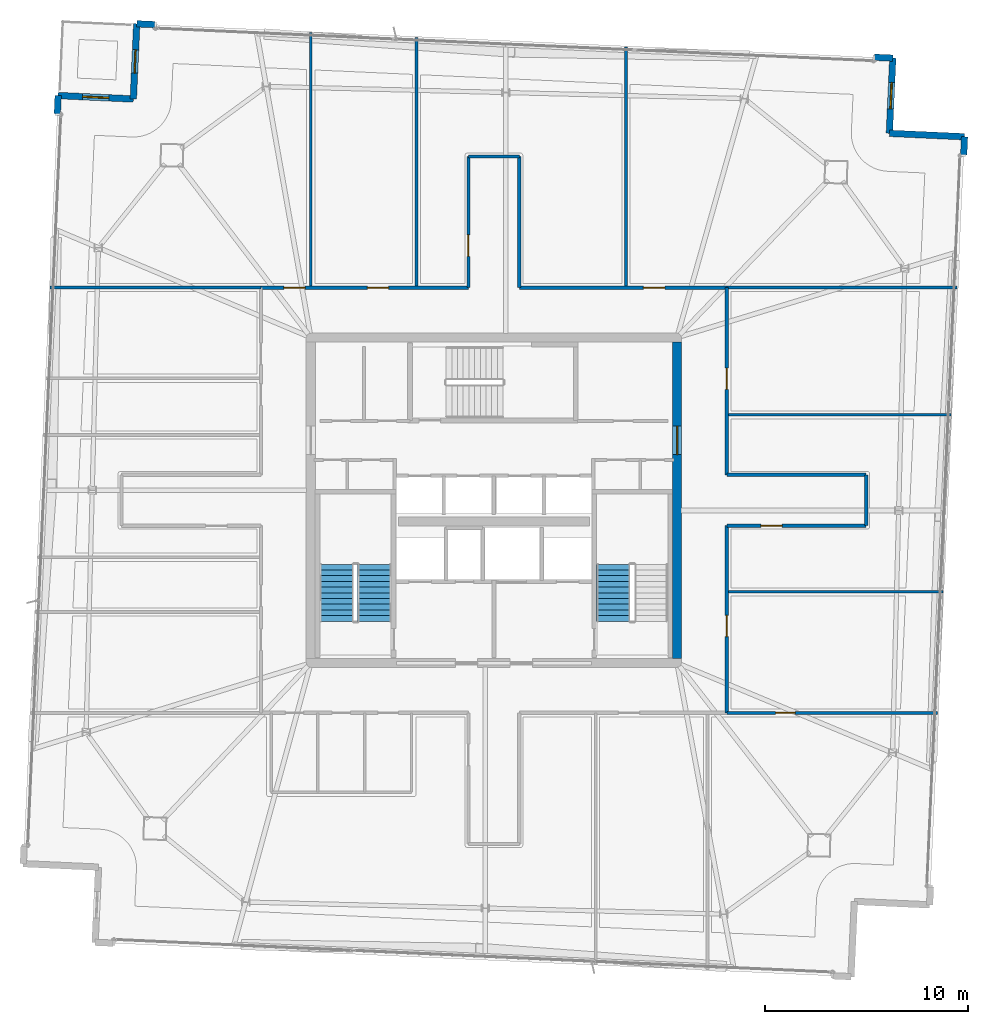
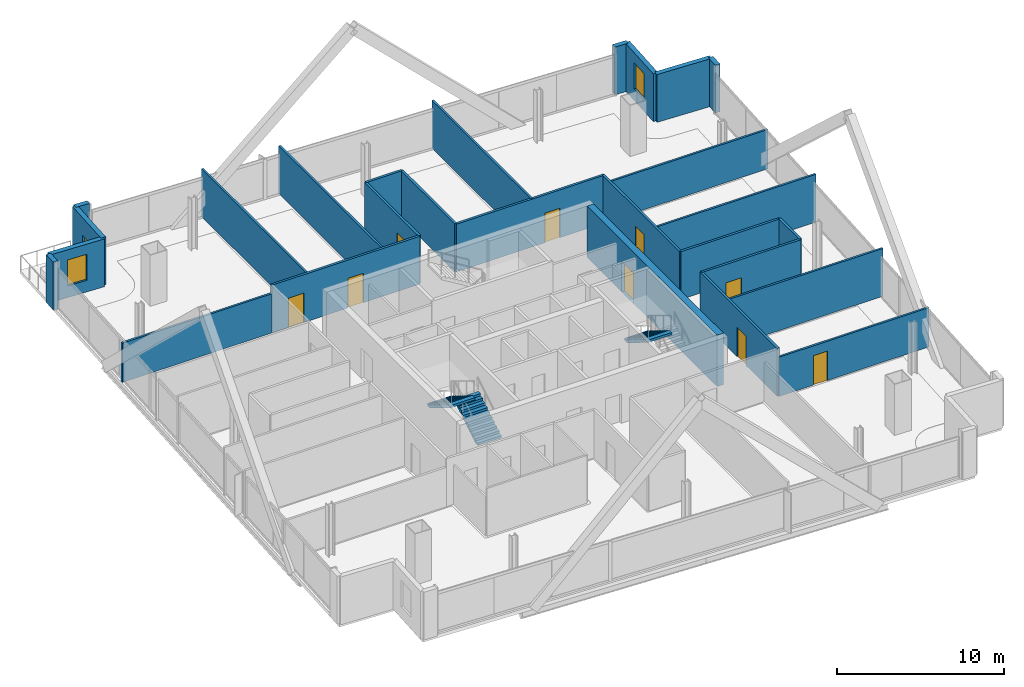
# One storey, part 22 of 26: 27 walls, 10 doors, 3 stair flights, 2 windows, 12 openings, 2 elements without a shape of their own.
"""IFC4 building model written with IfcOpenShell, lengths in metres."""

from ifc_helpers import new_model, si_unit, direction, frame, frame_2d, origin, place, context, subcontext, project, spatial, polyline, rectangle, outline, extrude, material, layer, layer_set, type_object, element, fill, aggregate, save


model = new_model("IFC4")

# Units and contexts
model_context = context("Model", 3, precision=1e-05, world=origin(), true_north=direction((0.0, 1.0)))
body_context = subcontext(model_context, "Body", "Model", "MODEL_VIEW")
ifc_project = project(units=[si_unit("LENGTHUNIT", "METRE"), si_unit("AREAUNIT", "SQUARE_METRE"), si_unit("VOLUMEUNIT", "CUBIC_METRE"), si_unit("PLANEANGLEUNIT", "RADIAN"), si_unit("MASSUNIT", "GRAM", prefix="KILO")], contexts=[model_context])

# Site, building, storey
site_placement = place(None, origin())
site = spatial("IfcSite", under=ifc_project, at=site_placement, CompositionType="ELEMENT")
building_placement = place(site_placement, origin())
building = spatial("IfcBuilding", under=site, at=building_placement, Name="Haldenkirk Collegiate Tower", CompositionType="ELEMENT")
storey_placement = place(building_placement, frame((0.0, 0.0, 321.449951171875)))
storey = spatial("IfcBuildingStorey", under=building, at=storey_placement, Name="L81", CompositionType="ELEMENT", Elevation=321.449951171875)

# Wall, opening, door
ifc_material_1 = material(Name="Concrete f'c 55 MPa", Category="concrete")
ifc_layer_1 = layer(ifc_material_1, 0.449951171875)
ifc_layer_set_1 = layer_set([ifc_layer_1], Name="Concrete f'c 55 MPa")
wall_type_1 = type_object("IfcWallType", Name="WL-CORE-450", PredefinedType="SHEAR", material=ifc_layer_set_1)
wall_1_placement = place(storey_placement, frame((45.0, 18.22509765625, 0.0), z_axis=(0.0, 0.0, 1.0), x_axis=(0.0, 1.0, 0.0)))
wall_1 = element("IfcWall", 1, at=wall_1_placement, inside=storey, type_object=wall_type_1, Name="L81 central core shear wall E", PredefinedType="SHEAR", context=body_context, shape_type="SweptSolid", body=[
    extrude(rectangle(XDim=15.5498046875, YDim=0.449951171875, at=frame_2d((7.77490234375, 0.0))), origin(), (0.0, 0.0, 1.0), 3.75),
])
opening_1_placement = place(wall_1_placement, frame((10.014892578125, 0.0, 0.0)))
opening_1 = element("IfcOpeningElement", 2, at=opening_1_placement, cuts=wall_1, Name="Opening D-03", PredefinedType="OPENING", context=body_context, shape_type="SweptSolid", body=[
    extrude(rectangle(XDim=1.39990234375, YDim=2.199951171875, at=frame_2d((0.699951171875, 1.10009765625))), frame((0.0, 0.23486328125, 0.0), z_axis=(0.0, -1.0, 0.0), x_axis=(1.0, 0.0, 0.0)), (0.0, 0.0, 1.0), 0.469970703125),
])
ifc_material_2 = material(Name="Galvanized fire-rated hollow steel door", Category="steel")
ifc_layer_2 = layer(ifc_material_2, 0.06005859375)
ifc_layer_set_2 = layer_set([ifc_layer_2], Name="Galvanized fire-rated hollow steel door")
door_type_1 = type_object("IfcDoorType", Name="DR-LOBBY-FD90-1400", OperationType="NOTDEFINED", PredefinedType="DOOR", material=ifc_layer_set_2)
door_1_placement = place(opening_1_placement, origin())
door_1 = element("IfcDoor", 3, at=door_1_placement, inside=storey, type_object=door_type_1, Name="L81 east lift lobby portal", OperationType="DOUBLE_DOOR_SINGLE_SWING", OverallHeight=2.199951171875, OverallWidth=1.39990234375, PredefinedType="DOOR", context=body_context, shape_type="SweptSolid", body=[
    extrude(rectangle(XDim=1.39990234375, YDim=2.199951171875, at=frame_2d((0.699951171875, 1.10009765625))), frame((0.0, 0.02490234375, 0.0), z_axis=(0.0, -1.0, 0.0), x_axis=(1.0, 0.0, 0.0)), (0.0, 0.0, 1.0), 0.050048828125),
])
fill(opening_1, door_1)

# Walls
ifc_material_3 = material(Name="Precast concrete f'c 40 MPa", Category="concrete")
ifc_layer_3 = layer(ifc_material_3, 0.320068359375)
ifc_layer_set_3 = layer_set([ifc_layer_3], Name="Precast concrete f'c 40 MPa")
wall_type_2 = type_object("IfcWallType", Name="WL-EXT-TWR-320", PredefinedType="STANDARD", material=ifc_layer_set_3)
wall_2_placement = place(storey_placement, frame((59.134521484375, 43.868896484375, 0.0), z_axis=(0.0, 0.0, 1.0), x_axis=(-0.04556760554, -0.998961257169, 0.0)))
element("IfcWall", 4, at=wall_2_placement, inside=storey, type_object=wall_type_2, Name="L81 precast corner pier SL", PredefinedType="STANDARD", context=body_context, shape_type="SweptSolid", body=[
    extrude(rectangle(XDim=0.900146484375, YDim=0.320068359375, at=frame_2d((0.4501953125, 0.0))), origin(), (0.0, 0.0, 1.0), 3.489990234375),
])
wall_3_placement = place(storey_placement, frame((55.438232421875, 44.036865234375, 0.0), z_axis=(0.0, 0.0, 1.0), x_axis=(0.998969084321, -0.045395688904, 0.0)))
element("IfcWall", 5, at=wall_3_placement, inside=storey, type_object=wall_type_2, Name="L81 bronze precast notch wall 02", PredefinedType="STANDARD", context=body_context, shape_type="SweptSolid", body=[
    extrude(rectangle(XDim=3.7001953125, YDim=0.320068359375, at=frame_2d((1.85009765625, 0.0))), origin(), (0.0, 0.0, 1.0), 3.489990234375),
])

# Wall, opening, window
wall_4_placement = place(storey_placement, frame((55.606201171875, 47.73291015625, 0.0), z_axis=(0.0, 0.0, 1.0), x_axis=(-0.045398681317, -0.998968948334, 0.0)))
wall_4 = element("IfcWall", 6, at=wall_4_placement, inside=storey, type_object=wall_type_2, Name="L81 bronze precast notch wall 03", PredefinedType="STANDARD", context=body_context, shape_type="SweptSolid", body=[
    extrude(rectangle(XDim=3.699951171875, YDim=0.320068359375, at=frame_2d((1.85009765625, 0.0))), origin(), (0.0, 0.0, 1.0), 3.489990234375),
])
opening_2_placement = place(wall_4_placement, frame((1.199951171875, 0.0, 0.85009765625)))
opening_2 = element("IfcOpeningElement", 7, at=opening_2_placement, cuts=wall_4, Name="Opening W-08", PredefinedType="OPENING", context=body_context, shape_type="SweptSolid", body=[
    extrude(rectangle(XDim=1.300048828125, YDim=1.89990234375, at=frame_2d((0.64990234375, 0.949951171875))), frame((0.0, 0.169921875, 0.0), z_axis=(0.0, -1.0, 0.0), x_axis=(1.0, 0.0, 0.0)), (0.0, 0.0, 1.0), 0.340087890625),
])
ifc_material_4 = material(Name="Low-E argon triple insulating glass", Category="glass")
ifc_layer_4 = layer(ifc_material_4, 0.090087890625)
ifc_layer_set_4 = layer_set([ifc_layer_4], Name="Low-E argon triple insulating glass")
window_type = type_object("IfcWindowType", Name="WN-Z6-1300X1900", PartitioningType="SINGLE_PANEL", PredefinedType="WINDOW", material=ifc_layer_set_4)
window_1_placement = place(opening_2_placement, origin())
window_1 = element("IfcWindow", 8, at=window_1_placement, inside=storey, type_object=window_type, Name="L81 precast-frame academic window 2", OverallHeight=1.89990234375, OverallWidth=1.300048828125, PartitioningType="SINGLE_PANEL", PredefinedType="WINDOW", context=body_context, shape_type="SweptSolid", body=[
    extrude(rectangle(XDim=1.300048828125, YDim=1.89990234375, at=frame_2d((0.64990234375, 0.949951171875))), frame((0.0, 0.030029296875, 0.0), z_axis=(0.0, -1.0, 0.0), x_axis=(1.0, 0.0, 0.0)), (0.0, 0.0, 1.0), 0.06005859375),
])
fill(opening_2, window_1)

# Walls
for number, where, z_axis, x_axis, name in (
    (9, (18.4443359375, 49.42041015625, 0.0), (0.0, 0.0, 1.0), (0.998973567376, -0.04529692798, 0.0), "L81 precast corner pier EL"),
    (10, (54.70703125, 47.773681640625, 0.0), (0.0, 0.0, 1.0), (0.998973567376, -0.04529692798, 0.0), "L81 precast corner pier ER"),
):
    element("IfcWall", number, at=place(storey_placement, frame(where, z_axis=z_axis, x_axis=x_axis)), inside=storey, type_object=wall_type_2, Name=name, PredefinedType="STANDARD", context=body_context, shape_type="SweptSolid", body=[
        extrude(rectangle(XDim=0.900146484375, YDim=0.320068359375, at=frame_2d((0.4501953125, 0.0))), origin(), (0.0, 0.0, 1.0), 3.489990234375),
    ])

# Wall, opening, door
wall_5_placement = place(storey_placement, frame((18.276611328125, 45.724365234375, 0.0), z_axis=(0.0, 0.0, 1.0), x_axis=(0.045332830566, 0.998971938781, 0.0)))
wall_5 = element("IfcWall", 11, at=wall_5_placement, inside=storey, type_object=wall_type_2, Name="L81 bronze precast notch wall 05", PredefinedType="STANDARD", context=body_context, shape_type="SweptSolid", body=[
    extrude(rectangle(XDim=3.699951171875, YDim=0.320068359375, at=frame_2d((1.85009765625, 0.0))), origin(), (0.0, 0.0, 1.0), 3.489990234375),
])
opening_3_placement = place(wall_5_placement, frame((1.27490234375, 0.0, 0.0)))
opening_3 = element("IfcOpeningElement", 12, at=opening_3_placement, cuts=wall_5, Name="Opening D-ST11", PredefinedType="OPENING", context=body_context, shape_type="SweptSolid", body=[
    extrude(rectangle(XDim=1.14990234375, YDim=2.199951171875, at=frame_2d((0.574951171875, 1.10009765625))), frame((0.0, 0.169921875, 0.0), z_axis=(0.0, -1.0, 0.0), x_axis=(1.0, 0.0, 0.0)), (0.0, 0.0, 1.0), 0.340087890625),
])
ifc_material_5 = material(Name="Anodised architectural bronze aluminium", Category="aluminium")
ifc_layer_5 = layer(ifc_material_5, 0.080078125)
ifc_layer_set_5 = layer_set([ifc_layer_5], Name="Anodised architectural bronze aluminium")
door_type_2 = type_object("IfcDoorType", Name="DR-EXT-STER-1150", OperationType="NOTDEFINED", PredefinedType="DOOR", material=ifc_layer_set_5)
door_2_placement = place(opening_3_placement, origin())
door_2 = element("IfcDoor", 13, at=door_2_placement, inside=storey, type_object=door_type_2, Name="L81 spiralling terrace door", OperationType="SINGLE_SWING_RIGHT", OverallHeight=2.199951171875, OverallWidth=1.14990234375, PredefinedType="DOOR", context=body_context, shape_type="SweptSolid", body=[
    extrude(rectangle(XDim=1.14990234375, YDim=2.199951171875, at=frame_2d((0.574951171875, 1.10009765625))), frame((0.0, 0.02490234375, 0.0), z_axis=(0.0, -1.0, 0.0), x_axis=(1.0, 0.0, 0.0)), (0.0, 0.0, 1.0), 0.050048828125),
])
fill(opening_3, door_2)

# Wall, opening, window
wall_6_placement = place(storey_placement, frame((14.580322265625, 45.89208984375, 0.0), z_axis=(0.0, 0.0, 1.0), x_axis=(0.998972074375, -0.045329842477, 0.0)))
wall_6 = element("IfcWall", 14, at=wall_6_placement, inside=storey, type_object=wall_type_2, Name="L81 bronze precast notch wall 06", PredefinedType="STANDARD", context=body_context, shape_type="SweptSolid", body=[
    extrude(rectangle(XDim=3.7001953125, YDim=0.320068359375, at=frame_2d((1.85009765625, 0.0))), origin(), (0.0, 0.0, 1.0), 3.489990234375),
])
opening_4_placement = place(wall_6_placement, frame((1.199951171875, 0.0, 0.85009765625)))
opening_4 = element("IfcOpeningElement", 15, at=opening_4_placement, cuts=wall_6, Name="Opening W-08", PredefinedType="OPENING", context=body_context, shape_type="SweptSolid", body=[
    extrude(rectangle(XDim=1.300048828125, YDim=1.89990234375, at=frame_2d((0.64990234375, 0.949951171875))), frame((0.0, 0.169921875, 0.0), z_axis=(0.0, -1.0, 0.0), x_axis=(1.0, 0.0, 0.0)), (0.0, 0.0, 1.0), 0.340087890625),
])
window_2_placement = place(opening_4_placement, origin())
window_2 = element("IfcWindow", 16, at=window_2_placement, inside=storey, type_object=window_type, Name="L81 precast-frame academic window 5", OverallHeight=1.89990234375, OverallWidth=1.300048828125, PartitioningType="SINGLE_PANEL", PredefinedType="WINDOW", context=body_context, shape_type="SweptSolid", body=[
    extrude(rectangle(XDim=1.300048828125, YDim=1.89990234375, at=frame_2d((0.64990234375, 0.949951171875))), frame((0.0, 0.030029296875, 0.0), z_axis=(0.0, -1.0, 0.0), x_axis=(1.0, 0.0, 0.0)), (0.0, 0.0, 1.0), 0.06005859375),
])
fill(opening_4, window_2)

# Wall
wall_7_placement = place(storey_placement, frame((14.53955078125, 44.992919921875, 0.0), z_axis=(0.0, 0.0, 1.0), x_axis=(0.04529692798, 0.998973567376, 0.0)))
element("IfcWall", 17, at=wall_7_placement, inside=storey, type_object=wall_type_2, Name="L81 precast corner pier NR", PredefinedType="STANDARD", context=body_context, shape_type="SweptSolid", body=[
    extrude(rectangle(XDim=0.900146484375, YDim=0.320068359375, at=frame_2d((0.4501953125, 0.0))), origin(), (0.0, 0.0, 1.0), 3.489990234375),
])

# Wall, openings, doors
ifc_material_6 = material(Name="Acoustic fire-rated gypsum partition", Category="concrete")
ifc_layer_6 = layer(ifc_material_6, 0.159912109375)
ifc_layer_set_6 = layer_set([ifc_layer_6], Name="Acoustic fire-rated gypsum partition")
wall_type_3 = type_object("IfcWallType", Name="WL-INT-CORR-160", PredefinedType="PARTITIONING", material=ifc_layer_set_6)
wall_8_placement = place(storey_placement, frame((24.5, 36.449951171875, 0.0), z_axis=(0.0, 0.0, 1.0), x_axis=(1.0, 0.0, 0.0)))
wall_8 = element("IfcWall", 18, at=wall_8_placement, inside=storey, type_object=wall_type_3, Name="L81 interior partition IW-L81-CN1", PredefinedType="PARTITIONING", context=body_context, shape_type="SweptSolid", body=[
    extrude(rectangle(XDim=10.25, YDim=0.159912109375, at=frame_2d((5.125, 0.0))), origin(), (0.0, 0.0, 1.0), 3.489990234375),
])
opening_5_placement = place(wall_8_placement, frame((1.169921875, 0.0, 0.0)))
opening_5 = element("IfcOpeningElement", 19, at=opening_5_placement, cuts=wall_8, Name="Opening D-09", PredefinedType="OPENING", context=body_context, shape_type="SweptSolid", body=[
    extrude(rectangle(XDim=1.050048828125, YDim=2.14990234375, at=frame_2d((0.52490234375, 1.074951171875))), frame((0.0, 0.08984375, 0.0), z_axis=(0.0, -1.0, 0.0), x_axis=(1.0, 0.0, 0.0)), (0.0, 0.0, 1.0), 0.179931640625),
])
opening_6_placement = place(wall_8_placement, frame((5.279052734375, 0.0, 0.0)))
opening_6 = element("IfcOpeningElement", 20, at=opening_6_placement, cuts=wall_8, Name="Opening D-09", PredefinedType="OPENING", context=body_context, shape_type="SweptSolid", body=[
    extrude(rectangle(XDim=1.050048828125, YDim=2.14990234375, at=frame_2d((0.52490234375, 1.074951171875))), frame((0.0, 0.08984375, 0.0), z_axis=(0.0, -1.0, 0.0), x_axis=(1.0, 0.0, 0.0)), (0.0, 0.0, 1.0), 0.179931640625),
])
ifc_material_7 = material(Name="Solid-core architectural oak fire door", Category="wood")
ifc_layer_7 = layer(ifc_material_7, 0.06005859375)
ifc_layer_set_7 = layer_set([ifc_layer_7], Name="Solid-core architectural oak fire door")
door_type_3 = type_object("IfcDoorType", Name="DR-INT-FD60-1050", OperationType="NOTDEFINED", PredefinedType="DOOR", material=ifc_layer_set_7)
door_3_placement = place(opening_5_placement, origin())
door_3 = element("IfcDoor", 21, at=door_3_placement, inside=storey, type_object=door_type_3, Name="L81 Student Reading Lounge 4 door", OperationType="SINGLE_SWING_RIGHT", OverallHeight=2.14990234375, OverallWidth=1.050048828125, PredefinedType="DOOR", context=body_context, shape_type="SweptSolid", body=[
    extrude(rectangle(XDim=1.050048828125, YDim=2.14990234375, at=frame_2d((0.52490234375, 1.074951171875))), frame((0.0, 0.02490234375, 0.0), z_axis=(0.0, -1.0, 0.0), x_axis=(1.0, 0.0, 0.0)), (0.0, 0.0, 1.0), 0.050048828125),
])
fill(opening_5, door_3)
door_4_placement = place(opening_6_placement, origin())
door_4 = element("IfcDoor", 22, at=door_4_placement, inside=storey, type_object=door_type_3, Name="L81 Reading Commons Lounge 5 door", OperationType="SINGLE_SWING_LEFT", OverallHeight=2.14990234375, OverallWidth=1.050048828125, PredefinedType="DOOR", context=body_context, shape_type="SweptSolid", body=[
    extrude(rectangle(XDim=1.050048828125, YDim=2.14990234375, at=frame_2d((0.52490234375, 1.074951171875))), frame((0.0, 0.02490234375, 0.0), z_axis=(0.0, -1.0, 0.0), x_axis=(1.0, 0.0, 0.0)), (0.0, 0.0, 1.0), 0.050048828125),
])
fill(opening_6, door_4)

# Wall, opening, door
wall_9_placement = place(storey_placement, frame((37.25, 36.449951171875, 0.0), z_axis=(0.0, 0.0, 1.0), x_axis=(1.0, 0.0, 0.0)))
wall_9 = element("IfcWall", 23, at=wall_9_placement, inside=storey, type_object=wall_type_3, Name="L81 interior partition IW-L81-CN2", PredefinedType="PARTITIONING", context=body_context, shape_type="SweptSolid", body=[
    extrude(rectangle(XDim=10.25, YDim=0.159912109375, at=frame_2d((5.125, 0.0))), origin(), (0.0, 0.0, 1.0), 3.489990234375),
])
opening_7_placement = place(wall_9_placement, frame((6.09912109375, 0.0, 0.0)))
opening_7 = element("IfcOpeningElement", 24, at=opening_7_placement, cuts=wall_9, Name="Opening D-09", PredefinedType="OPENING", context=body_context, shape_type="SweptSolid", body=[
    extrude(rectangle(XDim=1.050048828125, YDim=2.14990234375, at=frame_2d((0.52490234375, 1.074951171875))), frame((0.0, 0.08984375, 0.0), z_axis=(0.0, -1.0, 0.0), x_axis=(1.0, 0.0, 0.0)), (0.0, 0.0, 1.0), 0.179931640625),
])
door_5_placement = place(opening_7_placement, origin())
door_5 = element("IfcDoor", 25, at=door_5_placement, inside=storey, type_object=door_type_3, Name="L81 Special Collections Archive 7 door", OperationType="SINGLE_SWING_LEFT", OverallHeight=2.14990234375, OverallWidth=1.050048828125, PredefinedType="DOOR", context=body_context, shape_type="SweptSolid", body=[
    extrude(rectangle(XDim=1.050048828125, YDim=2.14990234375, at=frame_2d((0.52490234375, 1.074951171875))), frame((0.0, 0.02490234375, 0.0), z_axis=(0.0, -1.0, 0.0), x_axis=(1.0, 0.0, 0.0)), (0.0, 0.0, 1.0), 0.050048828125),
])
fill(opening_7, door_5)

wall_10_placement = place(storey_placement, frame((47.449951171875, 15.550048828125, 0.0), z_axis=(0.0, 0.0, 1.0), x_axis=(0.0, 1.0, 0.0)))
wall_10 = element("IfcWall", 26, at=wall_10_placement, inside=storey, type_object=wall_type_3, Name="L81 interior partition IW-L81-CE1", PredefinedType="PARTITIONING", context=body_context, shape_type="SweptSolid", body=[
    extrude(rectangle(XDim=9.199951171875, YDim=0.159912109375, at=frame_2d((4.60009765625, 0.0))), origin(), (0.0, 0.0, 1.0), 3.489990234375),
])
opening_8_placement = place(wall_10_placement, frame((3.7470703125, 0.0, 0.0)))
opening_8 = element("IfcOpeningElement", 27, at=opening_8_placement, cuts=wall_10, Name="Opening D-09", PredefinedType="OPENING", context=body_context, shape_type="SweptSolid", body=[
    extrude(rectangle(XDim=1.050048828125, YDim=2.14990234375, at=frame_2d((0.52490234375, 1.074951171875))), frame((0.0, 0.08984375, 0.0), z_axis=(0.0, -1.0, 0.0), x_axis=(1.0, 0.0, 0.0)), (0.0, 0.0, 1.0), 0.179931640625),
])
door_6_placement = place(opening_8_placement, origin())
door_6 = element("IfcDoor", 28, at=door_6_placement, inside=storey, type_object=door_type_3, Name="L81 Special Collections Archive 13 door", OperationType="SINGLE_SWING_LEFT", OverallHeight=2.14990234375, OverallWidth=1.050048828125, PredefinedType="DOOR", context=body_context, shape_type="SweptSolid", body=[
    extrude(rectangle(XDim=1.050048828125, YDim=2.14990234375, at=frame_2d((0.52490234375, 1.074951171875))), frame((0.0, 0.02490234375, 0.0), z_axis=(0.0, -1.0, 0.0), x_axis=(1.0, 0.0, 0.0)), (0.0, 0.0, 1.0), 0.050048828125),
])
fill(opening_8, door_6)

wall_11_placement = place(storey_placement, frame((47.449951171875, 27.25, 0.0), z_axis=(0.0, 0.0, 1.0), x_axis=(0.0, 1.0, 0.0)))
wall_11 = element("IfcWall", 29, at=wall_11_placement, inside=storey, type_object=wall_type_3, Name="L81 interior partition IW-L81-CE2", PredefinedType="PARTITIONING", context=body_context, shape_type="SweptSolid", body=[
    extrude(rectangle(XDim=9.199951171875, YDim=0.159912109375, at=frame_2d((4.60009765625, 0.0))), origin(), (0.0, 0.0, 1.0), 3.489990234375),
])
opening_9_placement = place(wall_11_placement, frame((4.198974609375, 0.0, 0.0)))
opening_9 = element("IfcOpeningElement", 30, at=opening_9_placement, cuts=wall_11, Name="Opening D-09", PredefinedType="OPENING", context=body_context, shape_type="SweptSolid", body=[
    extrude(rectangle(XDim=1.050048828125, YDim=2.14990234375, at=frame_2d((0.52490234375, 1.074951171875))), frame((0.0, 0.08984375, 0.0), z_axis=(0.0, -1.0, 0.0), x_axis=(1.0, 0.0, 0.0)), (0.0, 0.0, 1.0), 0.179931640625),
])
door_7_placement = place(opening_9_placement, origin())
door_7 = element("IfcDoor", 31, at=door_7_placement, inside=storey, type_object=door_type_3, Name="L81 Treaty Archive Store 15 door", OperationType="SINGLE_SWING_LEFT", OverallHeight=2.14990234375, OverallWidth=1.050048828125, PredefinedType="DOOR", context=body_context, shape_type="SweptSolid", body=[
    extrude(rectangle(XDim=1.050048828125, YDim=2.14990234375, at=frame_2d((0.52490234375, 1.074951171875))), frame((0.0, 0.02490234375, 0.0), z_axis=(0.0, -1.0, 0.0), x_axis=(1.0, 0.0, 0.0)), (0.0, 0.0, 1.0), 0.050048828125),
])
fill(opening_9, door_7)

wall_12_placement = place(storey_placement, frame((34.75, 36.449951171875, 0.0), z_axis=(0.0, 0.0, 1.0), x_axis=(0.0, 1.0, 0.0)))
wall_12 = element("IfcWall", 32, at=wall_12_placement, inside=storey, type_object=wall_type_3, Name="L81 interior partition IW-L81-NPW", PredefinedType="PARTITIONING", context=body_context, shape_type="SweptSolid", body=[
    extrude(rectangle(XDim=6.449951171875, YDim=0.159912109375, at=frame_2d((3.22509765625, 0.0))), origin(), (0.0, 0.0, 1.0), 3.489990234375),
])
opening_10_placement = place(wall_12_placement, frame((1.5390625, 0.0, 0.0)))
opening_10 = element("IfcOpeningElement", 33, at=opening_10_placement, cuts=wall_12, Name="Opening D-09", PredefinedType="OPENING", context=body_context, shape_type="SweptSolid", body=[
    extrude(rectangle(XDim=1.050048828125, YDim=2.14990234375, at=frame_2d((0.52490234375, 1.074951171875))), frame((0.0, 0.08984375, 0.0), z_axis=(0.0, -1.0, 0.0), x_axis=(1.0, 0.0, 0.0)), (0.0, 0.0, 1.0), 0.179931640625),
])
door_8_placement = place(opening_10_placement, origin())
door_8 = element("IfcDoor", 34, at=door_8_placement, inside=storey, type_object=door_type_3, Name="L81 Periodical Reading Lounge 6 door", OperationType="SINGLE_SWING_RIGHT", OverallHeight=2.14990234375, OverallWidth=1.050048828125, PredefinedType="DOOR", context=body_context, shape_type="SweptSolid", body=[
    extrude(rectangle(XDim=1.050048828125, YDim=2.14990234375, at=frame_2d((0.52490234375, 1.074951171875))), frame((0.0, 0.02490234375, 0.0), z_axis=(0.0, -1.0, 0.0), x_axis=(1.0, 0.0, 0.0)), (0.0, 0.0, 1.0), 0.050048828125),
])
fill(opening_10, door_8)

# Walls
wall_13_placement = place(storey_placement, frame((37.25, 36.449951171875, 0.0), z_axis=(0.0, 0.0, 1.0), x_axis=(0.0, 1.0, 0.0)))
element("IfcWall", 35, at=wall_13_placement, inside=storey, type_object=wall_type_3, Name="L81 interior partition IW-L81-NPE", PredefinedType="PARTITIONING", context=body_context, shape_type="SweptSolid", body=[
    extrude(rectangle(XDim=6.449951171875, YDim=0.159912109375, at=frame_2d((3.22509765625, 0.0))), origin(), (0.0, 0.0, 1.0), 3.489990234375),
])
wall_14_placement = place(storey_placement, frame((34.75, 42.89990234375, 0.0), z_axis=(0.0, 0.0, 1.0), x_axis=(1.0, 0.0, 0.0)))
element("IfcWall", 36, at=wall_14_placement, inside=storey, type_object=wall_type_3, Name="L81 interior partition IW-L81-NPN", PredefinedType="PARTITIONING", context=body_context, shape_type="SweptSolid", body=[
    extrude(rectangle(XDim=2.5, YDim=0.159912109375, at=frame_2d((1.25, 0.0))), origin(), (0.0, 0.0, 1.0), 3.489990234375),
])

# Wall, opening, door
wall_15_placement = place(storey_placement, frame((47.449951171875, 24.75, 0.0), z_axis=(0.0, 0.0, 1.0), x_axis=(1.0, 0.0, 0.0)))
wall_15 = element("IfcWall", 37, at=wall_15_placement, inside=storey, type_object=wall_type_3, Name="L81 interior partition IW-L81-EPS", PredefinedType="PARTITIONING", context=body_context, shape_type="SweptSolid", body=[
    extrude(rectangle(XDim=6.85009765625, YDim=0.159912109375, at=frame_2d((3.425048828125, 0.0))), origin(), (0.0, 0.0, 1.0), 3.489990234375),
])
opening_11_placement = place(wall_15_placement, frame((1.6669921875, 0.0, 0.0)))
opening_11 = element("IfcOpeningElement", 38, at=opening_11_placement, cuts=wall_15, Name="Opening D-09", PredefinedType="OPENING", context=body_context, shape_type="SweptSolid", body=[
    extrude(rectangle(XDim=1.050048828125, YDim=2.14990234375, at=frame_2d((0.52490234375, 1.074951171875))), frame((0.0, 0.08984375, 0.0), z_axis=(0.0, -1.0, 0.0), x_axis=(1.0, 0.0, 0.0)), (0.0, 0.0, 1.0), 0.179931640625),
])
door_9_placement = place(opening_11_placement, origin())
door_9 = element("IfcDoor", 39, at=door_9_placement, inside=storey, type_object=door_type_3, Name="L81 Rare Folio Vault 14 door", OperationType="SINGLE_SWING_RIGHT", OverallHeight=2.14990234375, OverallWidth=1.050048828125, PredefinedType="DOOR", context=body_context, shape_type="SweptSolid", body=[
    extrude(rectangle(XDim=1.050048828125, YDim=2.14990234375, at=frame_2d((0.52490234375, 1.074951171875))), frame((0.0, 0.02490234375, 0.0), z_axis=(0.0, -1.0, 0.0), x_axis=(1.0, 0.0, 0.0)), (0.0, 0.0, 1.0), 0.050048828125),
])
fill(opening_11, door_9)

# Walls
wall_16_placement = place(storey_placement, frame((47.449951171875, 27.25, 0.0), z_axis=(0.0, 0.0, 1.0), x_axis=(1.0, 0.0, 0.0)))
element("IfcWall", 40, at=wall_16_placement, inside=storey, type_object=wall_type_3, Name="L81 interior partition IW-L81-EPN", PredefinedType="PARTITIONING", context=body_context, shape_type="SweptSolid", body=[
    extrude(rectangle(XDim=6.85009765625, YDim=0.159912109375, at=frame_2d((3.425048828125, 0.0))), origin(), (0.0, 0.0, 1.0), 3.489990234375),
])
wall_17_placement = place(storey_placement, frame((54.300048828125, 24.75, 0.0), z_axis=(0.0, 0.0, 1.0), x_axis=(0.0, 1.0, 0.0)))
element("IfcWall", 41, at=wall_17_placement, inside=storey, type_object=wall_type_3, Name="L81 interior partition IW-L81-EPE", PredefinedType="PARTITIONING", context=body_context, shape_type="SweptSolid", body=[
    extrude(rectangle(XDim=2.5, YDim=0.159912109375, at=frame_2d((1.25, 0.0))), origin(), (0.0, 0.0, 1.0), 3.489990234375),
])
ifc_layer_8 = layer(ifc_material_6, 0.139892578125)
ifc_layer_set_8 = layer_set([ifc_layer_8], Name="Acoustic fire-rated gypsum partition")
wall_type_4 = type_object("IfcWallType", Name="WL-INT-DIV-140", PredefinedType="PARTITIONING", material=ifc_layer_set_8)
wall_18_placement = place(storey_placement, frame((14.191650390625, 36.449951171875, 0.0), z_axis=(0.0, 0.0, 1.0), x_axis=(1.0, 0.0, 0.0)))
element("IfcWall", 42, at=wall_18_placement, inside=storey, type_object=wall_type_4, Name="L81 interior partition IW-L81-BWN", PredefinedType="PARTITIONING", context=body_context, shape_type="SweptSolid", body=[
    extrude(rectangle(XDim=10.3583984375, YDim=0.139892578125, at=frame_2d((5.17919921875, 0.0))), origin(), (0.0, 0.0, 1.0), 2.8681640625),
])

# Wall, opening, door
wall_19_placement = place(storey_placement, frame((47.449951171875, 15.550048828125, 0.0), z_axis=(0.0, 0.0, 1.0), x_axis=(1.0, 0.0, 0.0)))
wall_19 = element("IfcWall", 43, at=wall_19_placement, inside=storey, type_object=wall_type_4, Name="L81 interior partition IW-L81-BES", PredefinedType="PARTITIONING", context=body_context, shape_type="SweptSolid", body=[
    extrude(rectangle(XDim=10.3583984375, YDim=0.139892578125, at=frame_2d((5.17919921875, 0.0))), origin(), (0.0, 0.0, 1.0), 2.8681640625),
])
opening_12_placement = place(wall_19_placement, frame((2.39990234375, 0.0, 0.0)))
opening_12 = element("IfcOpeningElement", 44, at=opening_12_placement, cuts=wall_19, Name="Opening D-12", PredefinedType="OPENING", context=body_context, shape_type="SweptSolid", body=[
    extrude(rectangle(XDim=0.949951171875, YDim=2.14990234375, at=frame_2d((0.47509765625, 1.074951171875))), frame((0.0, 0.079833984375, 0.0), z_axis=(0.0, -1.0, 0.0), x_axis=(1.0, 0.0, 0.0)), (0.0, 0.0, 1.0), 0.159912109375),
])
ifc_layer_9 = layer(ifc_material_7, 0.06005859375)
ifc_layer_set_9 = layer_set([ifc_layer_9], Name="Solid-core architectural oak fire door")
door_type_4 = type_object("IfcDoorType", Name="DR-INT-STD-950", OperationType="NOTDEFINED", PredefinedType="DOOR", material=ifc_layer_set_9)
door_10_placement = place(opening_12_placement, origin())
door_10 = element("IfcDoor", 45, at=door_10_placement, inside=storey, type_object=door_type_4, Name="L81 Treaty Archive Store 3 door", OperationType="SINGLE_SWING_LEFT", OverallHeight=2.14990234375, OverallWidth=0.949951171875, PredefinedType="DOOR", context=body_context, shape_type="SweptSolid", body=[
    extrude(rectangle(XDim=0.949951171875, YDim=2.14990234375, at=frame_2d((0.47509765625, 1.074951171875))), frame((0.0, 0.02490234375, 0.0), z_axis=(0.0, -1.0, 0.0), x_axis=(1.0, 0.0, 0.0)), (0.0, 0.0, 1.0), 0.050048828125),
])
fill(opening_12, door_10)

# Walls
wall_20_placement = place(storey_placement, frame((47.449951171875, 36.449951171875, 0.0), z_axis=(0.0, 0.0, 1.0), x_axis=(1.0, 0.0, 0.0)))
element("IfcWall", 46, at=wall_20_placement, inside=storey, type_object=wall_type_4, Name="L81 interior partition IW-L81-BEN", PredefinedType="PARTITIONING", context=body_context, shape_type="SweptSolid", body=[
    extrude(rectangle(XDim=11.3076171875, YDim=0.139892578125, at=frame_2d((5.65380859375, 0.0))), origin(), (0.0, 0.0, 1.0), 2.8681640625),
])
wall_21_placement = place(storey_placement, frame((27.0, 36.449951171875, 0.0), z_axis=(0.0, 0.0, 1.0), x_axis=(0.0, 1.0, 0.0)))
element("IfcWall", 47, at=wall_21_placement, inside=storey, type_object=wall_type_4, Name="L81 interior partition IW-L81-RN1", PredefinedType="PARTITIONING", context=body_context, shape_type="SweptSolid", body=[
    extrude(rectangle(XDim=12.5419921875, YDim=0.139892578125, at=frame_2d((6.27099609375, 0.0))), origin(), (0.0, 0.0, 1.0), 3.489990234375),
])
wall_22_placement = place(storey_placement, frame((32.199951171875, 36.449951171875, 0.0), z_axis=(0.0, 0.0, 1.0), x_axis=(0.0, 1.0, 0.0)))
element("IfcWall", 48, at=wall_22_placement, inside=storey, type_object=wall_type_4, Name="L81 interior partition IW-L81-RN2", PredefinedType="PARTITIONING", context=body_context, shape_type="SweptSolid", body=[
    extrude(rectangle(XDim=12.305908203125, YDim=0.139892578125, at=frame_2d((6.15283203125, 0.0))), origin(), (0.0, 0.0, 1.0), 3.489990234375),
])
wall_23_placement = place(storey_placement, frame((42.5, 36.449951171875, 0.0), z_axis=(0.0, 0.0, 1.0), x_axis=(0.0, 1.0, 0.0)))
element("IfcWall", 49, at=wall_23_placement, inside=storey, type_object=wall_type_4, Name="L81 interior partition IW-L81-RN3", PredefinedType="PARTITIONING", context=body_context, shape_type="SweptSolid", body=[
    extrude(rectangle(XDim=11.838134765625, YDim=0.139892578125, at=frame_2d((5.9189453125, 0.0))), origin(), (0.0, 0.0, 1.0), 3.489990234375),
])
wall_24_placement = place(storey_placement, frame((47.449951171875, 21.5, 0.0), z_axis=(0.0, 0.0, 1.0), x_axis=(1.0, 0.0, 0.0)))
element("IfcWall", 50, at=wall_24_placement, inside=storey, type_object=wall_type_4, Name="L81 interior partition IW-L81-RE1", PredefinedType="PARTITIONING", context=body_context, shape_type="SweptSolid", body=[
    extrude(rectangle(XDim=10.628662109375, YDim=0.139892578125, at=frame_2d((5.314453125, 0.0))), origin(), (0.0, 0.0, 1.0), 3.489990234375),
])
wall_25_placement = place(storey_placement, frame((47.449951171875, 30.199951171875, 0.0), z_axis=(0.0, 0.0, 1.0), x_axis=(1.0, 0.0, 0.0)))
element("IfcWall", 51, at=wall_25_placement, inside=storey, type_object=wall_type_4, Name="L81 interior partition IW-L81-RE2", PredefinedType="PARTITIONING", context=body_context, shape_type="SweptSolid", body=[
    extrude(rectangle(XDim=11.023681640625, YDim=0.139892578125, at=frame_2d((5.51171875, 0.0))), origin(), (0.0, 0.0, 1.0), 3.489990234375),
])

# Stair, stair flights
ifc_material_8 = material(Name="Concrete f'c 40 MPa", Category="concrete")
stair_type = type_object("IfcStairType", Name="STR-DOGLEG-1650", PredefinedType="HALF_TURN_STAIR", material=ifc_material_8)
stair_1_placement = place(storey_placement, origin())
stair_1 = element("IfcStair", 52, at=stair_1_placement, inside=storey, type_object=stair_type, Name="L81 Core Exit Stair ST-1", PredefinedType="HALF_TURN_STAIR")
stair_flight_type = type_object("IfcStairFlightType", Name="STF-FLIGHT-1650", PredefinedType="STRAIGHT", material=ifc_material_8)
stair_flight_1_placement = place(storey_placement, frame((30.125, 20.050048828125, 0.0), z_axis=(0.0, 0.0, 1.0), x_axis=(0.0, 1.0, 0.0)))
stair_flight_1 = element("IfcStairFlight", 53, at=stair_flight_1_placement, type_object=stair_flight_type, Name="ST-1 flight 1", NumberOfRisers=11, NumberOfTreads=10, PredefinedType="STRAIGHT", RiserHeight=0.170454545, TreadLength=0.28, context=body_context, shape_type="SweptSolid", body=[
    extrude(outline(polyline([(0.0, 0.0), (0.0, 0.17041015625), (0.280029296875, 0.17041015625), (0.280029296875, 0.3408203125), (0.56005859375, 0.3408203125), (0.56005859375, 0.511474609375), (0.840087890625, 0.511474609375), (0.840087890625, 0.681884765625), (1.1201171875, 0.681884765625), (1.1201171875, 0.852294921875), (1.39990234375, 0.852294921875), (1.39990234375, 1.022705078125), (1.679931640625, 1.022705078125), (1.679931640625, 1.193115234375), (1.9599609375, 1.193115234375), (1.9599609375, 1.363525390625), (2.239990234375, 1.363525390625), (2.239990234375, 1.5341796875), (2.52001953125, 1.5341796875), (2.52001953125, 1.70458984375), (2.800048828125, 1.70458984375), (2.800048828125, 1.875), (2.800048828125, 1.529052734375), (0.288330078125, 0.0), (0.0, 0.0)])), frame((0.0, 0.824951171875, 0.0), z_axis=(0.0, -1.0, 0.0), x_axis=(1.0, 0.0, 0.0)), (0.0, 0.0, 1.0), 1.64990234375),
])
stair_flight_2_placement = place(storey_placement, frame((28.27490234375, 22.85009765625, 1.875), z_axis=(0.0, 0.0, 1.0), x_axis=(0.0, -1.0, 0.0)))
stair_flight_2 = element("IfcStairFlight", 54, at=stair_flight_2_placement, type_object=stair_flight_type, Name="ST-1 flight 2", NumberOfRisers=11, NumberOfTreads=10, PredefinedType="STRAIGHT", RiserHeight=0.170454545, TreadLength=0.28, context=body_context, shape_type="SweptSolid", body=[
    extrude(outline(polyline([(0.0, 0.0), (0.0, 0.17041015625), (0.280029296875, 0.17041015625), (0.280029296875, 0.3408203125), (0.56005859375, 0.3408203125), (0.56005859375, 0.511474609375), (0.840087890625, 0.511474609375), (0.840087890625, 0.681884765625), (1.1201171875, 0.681884765625), (1.1201171875, 0.852294921875), (1.39990234375, 0.852294921875), (1.39990234375, 1.022705078125), (1.679931640625, 1.022705078125), (1.679931640625, 1.193115234375), (1.9599609375, 1.193115234375), (1.9599609375, 1.363525390625), (2.239990234375, 1.363525390625), (2.239990234375, 1.5341796875), (2.52001953125, 1.5341796875), (2.52001953125, 1.70458984375), (2.800048828125, 1.70458984375), (2.800048828125, 1.875), (2.800048828125, 1.529052734375), (0.288330078125, 0.0), (0.0, 0.0)])), frame((0.0, 0.824951171875, 0.0), z_axis=(0.0, -1.0, 0.0), x_axis=(1.0, 0.0, 0.0)), (0.0, 0.0, 1.0), 1.64990234375),
])
aggregate(stair_1, [stair_flight_1, stair_flight_2])

# Stair, stair flight
stair_2_placement = place(storey_placement, origin())
stair_2 = element("IfcStair", 55, at=stair_2_placement, inside=storey, type_object=stair_type, Name="L81 Core Exit Stair ST-2", PredefinedType="HALF_TURN_STAIR")
stair_flight_3_placement = place(storey_placement, frame((41.875, 22.85009765625, 1.875), z_axis=(0.0, 0.0, 1.0), x_axis=(0.0, -1.0, 0.0)))
stair_flight_3 = element("IfcStairFlight", 56, at=stair_flight_3_placement, type_object=stair_flight_type, Name="ST-2 flight 2", NumberOfRisers=11, NumberOfTreads=10, PredefinedType="STRAIGHT", RiserHeight=0.170454545, TreadLength=0.28, context=body_context, shape_type="SweptSolid", body=[
    extrude(outline(polyline([(0.0, 0.0), (0.0, 0.17041015625), (0.280029296875, 0.17041015625), (0.280029296875, 0.3408203125), (0.56005859375, 0.3408203125), (0.56005859375, 0.511474609375), (0.840087890625, 0.511474609375), (0.840087890625, 0.681884765625), (1.1201171875, 0.681884765625), (1.1201171875, 0.852294921875), (1.39990234375, 0.852294921875), (1.39990234375, 1.022705078125), (1.679931640625, 1.022705078125), (1.679931640625, 1.193115234375), (1.9599609375, 1.193115234375), (1.9599609375, 1.363525390625), (2.239990234375, 1.363525390625), (2.239990234375, 1.5341796875), (2.52001953125, 1.5341796875), (2.52001953125, 1.70458984375), (2.800048828125, 1.70458984375), (2.800048828125, 1.875), (2.800048828125, 1.529052734375), (0.288330078125, 0.0), (0.0, 0.0)])), frame((0.0, 0.824951171875, 0.0), z_axis=(0.0, -1.0, 0.0), x_axis=(1.0, 0.0, 0.0)), (0.0, 0.0, 1.0), 1.64990234375),
])
aggregate(stair_2, [stair_flight_3])

save(model, "model.ifc")
